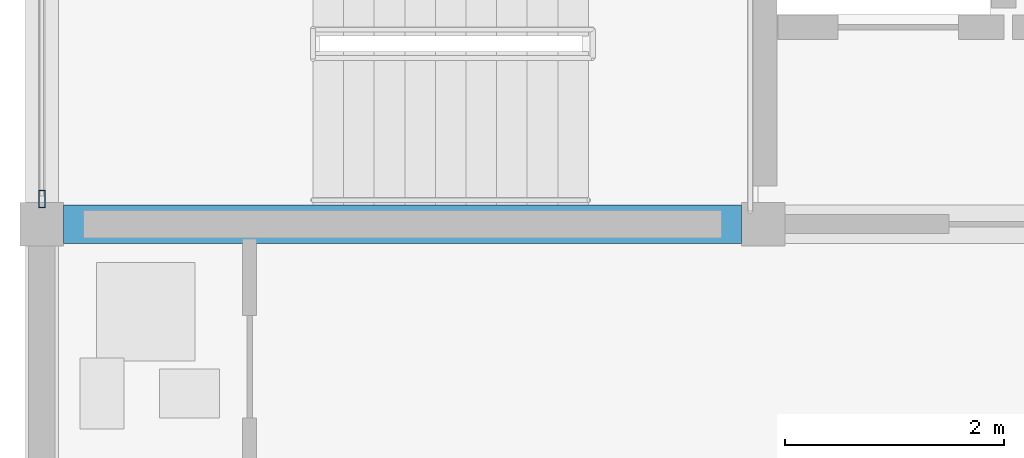
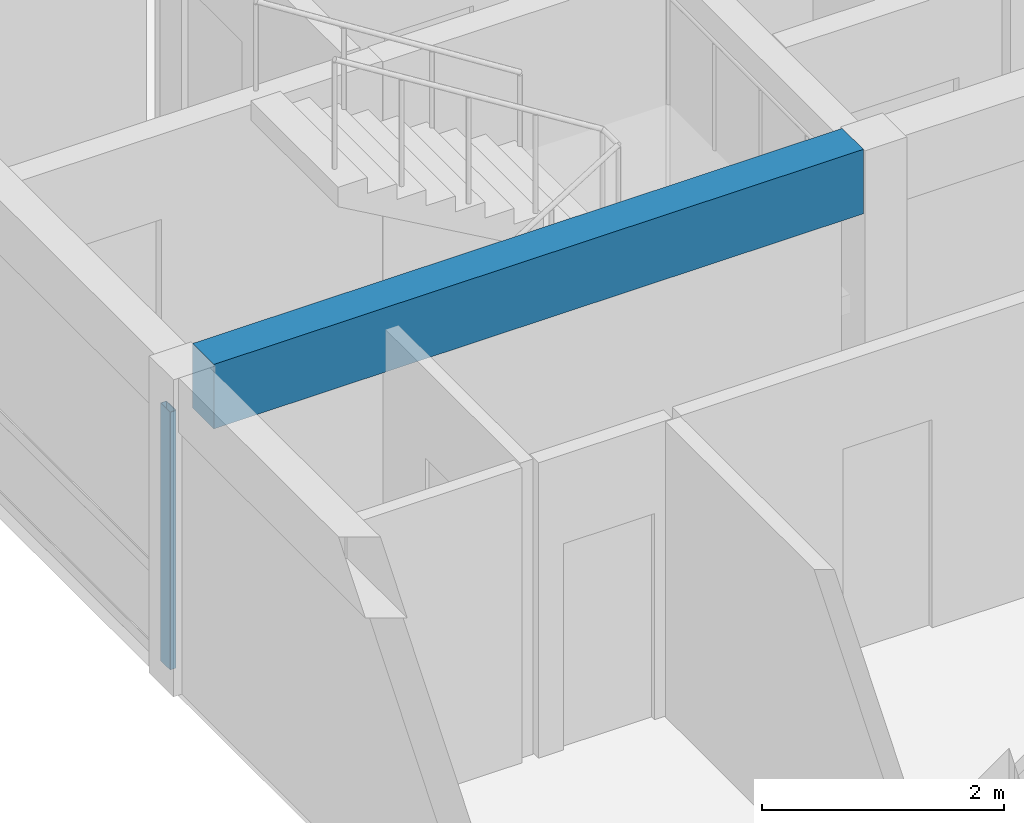
# One storey, part 2 of 23: 1 beam, 1 member, 1 element without a shape of its own.
"""IFC4 building model written with IfcOpenShell, lengths in metres."""

from ifc_helpers import new_model, si_unit, direction, frame, origin, origin_2d, place, context, subcontext, project, spatial, rectangle, hollow_rectangle, extrude, material, material_profile, profile_set, type_object, element, aggregate, save


model = new_model("IFC4")

# Units and contexts
model_context = context("Model", 3, precision=1e-05, world=origin(), true_north=direction((0.0, 1.0)))
body_context = subcontext(model_context, "Body", "Model", "MODEL_VIEW")
ifc_project = project(units=[si_unit("LENGTHUNIT", "METRE"), si_unit("AREAUNIT", "SQUARE_METRE"), si_unit("VOLUMEUNIT", "CUBIC_METRE"), si_unit("PLANEANGLEUNIT", "RADIAN"), si_unit("MASSUNIT", "GRAM", prefix="KILO")], contexts=[model_context])

# Site, building, storey
site_placement = place(None, origin())
site = spatial("IfcSite", under=ifc_project, at=site_placement, CompositionType="ELEMENT")
building_placement = place(site_placement, origin())
building = spatial("IfcBuilding", under=site, at=building_placement, Name="Kernevlak Ridge Housing Community", CompositionType="ELEMENT")
storey_placement = place(building_placement, frame((0.0, 0.0, 46.800048828125)))
storey = spatial("IfcBuildingStorey", under=building, at=storey_placement, Name="L14", CompositionType="ELEMENT", Elevation=46.800048828125)

# Beam
ifc_material_1 = material(Name="Concrete C35/45", Category="concrete")
ifc_material_profile_1 = material_profile(ifc_material_1, rectangle(XDim=0.35009765625, YDim=0.64990234375, at=origin_2d()), Name="RC 350x650")
ifc_profile_set_1 = profile_set([ifc_material_profile_1], Name="Concrete C35/45")
beam_type = type_object("IfcBeamType", Name="B-02", PredefinedType="BEAM", material=ifc_profile_set_1)
beam_placement = place(storey_placement, frame((15.800048828125, 82.60009765625, 2.875), z_axis=(1.0, 0.0, 0.0), x_axis=(0.0, 1.0, 0.0)))
element("IfcBeam", 1, at=beam_placement, inside=storey, type_object=beam_type, Name="Beam B-02 L14 426", PredefinedType="BEAM", context=body_context, shape_type="SweptSolid", body=[
    extrude(rectangle(XDim=0.35009765625, YDim=0.64990234375, at=origin_2d()), origin(), (0.0, 0.0, 1.0), 6.199951171875),
])

# Curtain wall, member
ifc_material_2 = material(Name="Aluminium EN AW-6060 anodised and laminated glass", Category="aluminium")
curtain_wall_type = type_object("IfcCurtainWallType", Name="CW-01", PredefinedType="NOTDEFINED", material=ifc_material_2)
curtain_wall_placement = place(storey_placement, origin())
curtain_wall = element("IfcCurtainWall", 2, at=curtain_wall_placement, inside=storey, type_object=curtain_wall_type, Name="Curtain wall CW-01 CW-L14-043", PredefinedType="NOTDEFINED")
ifc_material_3 = material(Name="Aluminium EN AW-6060 anodised", Category="aluminium")
ifc_material_profile_2 = material_profile(ifc_material_3, hollow_rectangle(XDim=0.06005859375, YDim=0.159912109375, WallThickness=0.00390625, InnerFilletRadius=0.001953125, OuterFilletRadius=0.00390625, at=origin_2d()), Name="ALU 60x160x4")
ifc_profile_set_2 = profile_set([ifc_material_profile_2], Name="Aluminium EN AW-6060 anodised")
member_type = type_object("IfcMemberType", Name="MU-02", PredefinedType="MULLION", material=ifc_profile_set_2)
member_placement = place(storey_placement, frame((15.60009765625, 82.830078125, 0.0), z_axis=(0.0, 0.0, 1.0), x_axis=(-1.0, 0.0, 0.0)))
member = element("IfcMember", 3, at=member_placement, type_object=member_type, Name="CW-01 mullion 1", PredefinedType="MULLION", context=body_context, shape_type="SweptSolid", body=[
    extrude(hollow_rectangle(XDim=0.06005859375, YDim=0.159912109375, WallThickness=0.00390625, InnerFilletRadius=0.001953125, OuterFilletRadius=0.00390625, at=origin_2d()), origin(), (0.0, 0.0, 1.0), 2.599853515625),
])
aggregate(curtain_wall, [member])

save(model, "model.ifc")
